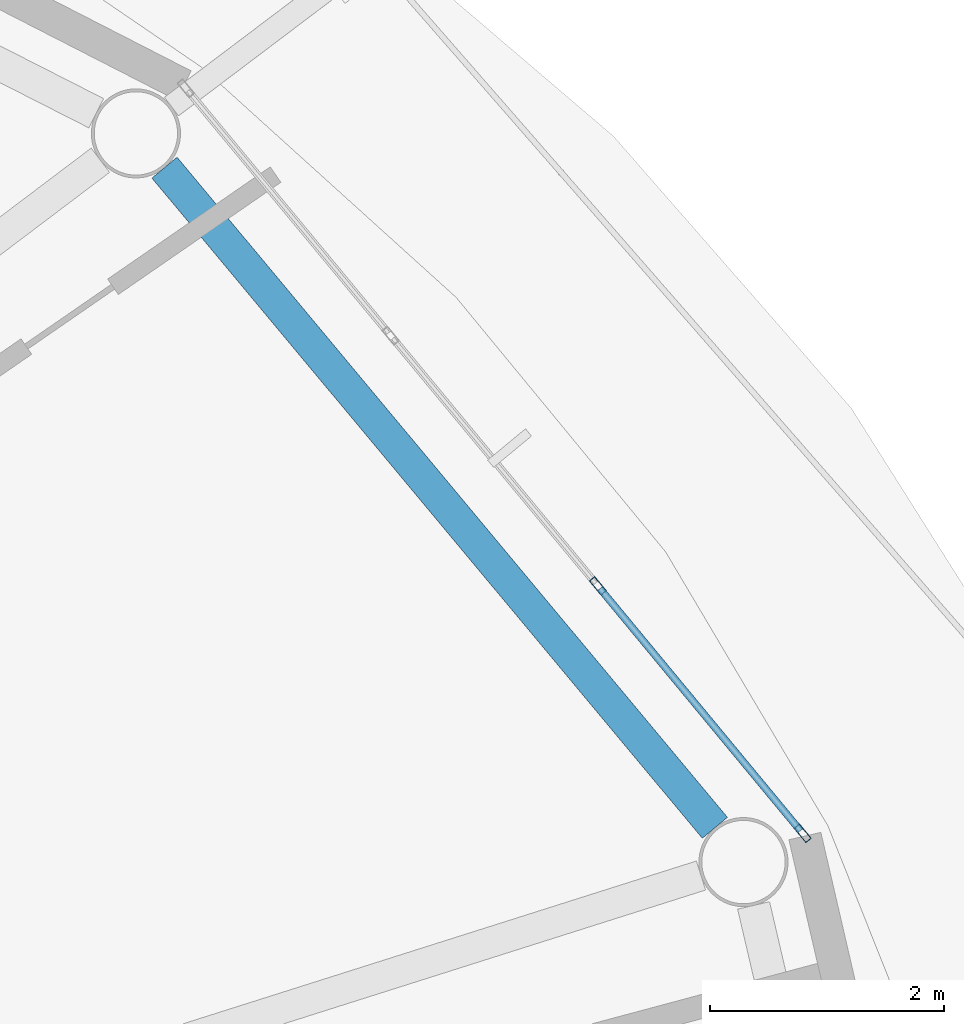
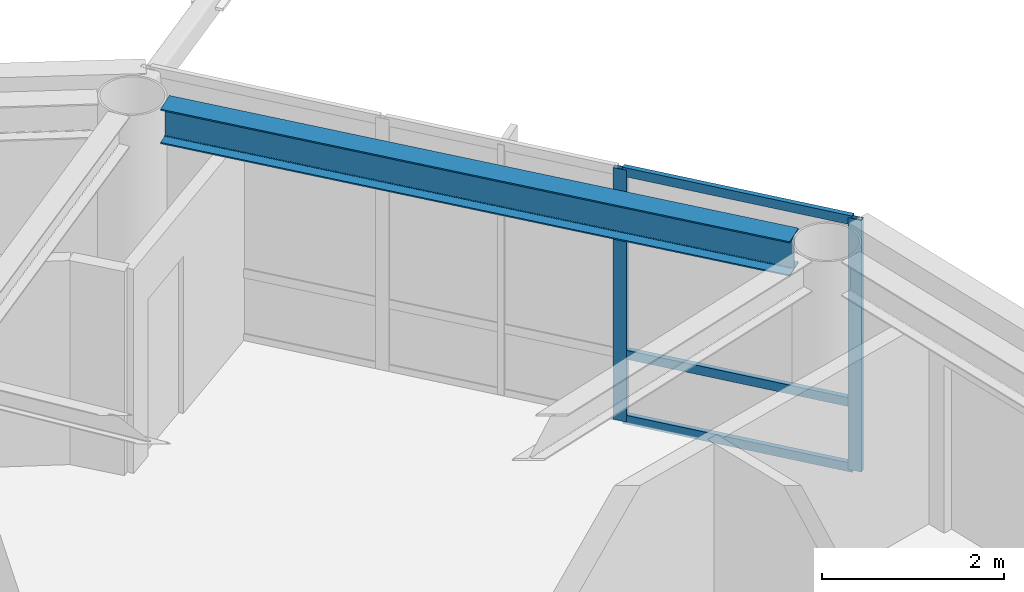
# One storey, part 7 of 23: 5 members, 1 beam, 1 element without a shape of its own.
"""IFC4 building model written with IfcOpenShell, lengths in metres."""

from ifc_helpers import new_model, si_unit, direction, frame, origin, origin_2d, place, context, subcontext, project, spatial, hollow_rectangle, i_section, extrude, material, layer, layer_set, material_profile, profile_set, type_object, element, aggregate, save


model = new_model("IFC4")

# Units and contexts
model_context = context("Model", 3, precision=1e-05, world=origin(), true_north=direction((0.0, 1.0)))
body_context = subcontext(model_context, "Body", "Model", "MODEL_VIEW")
ifc_project = project(units=[si_unit("LENGTHUNIT", "METRE"), si_unit("AREAUNIT", "SQUARE_METRE"), si_unit("VOLUMEUNIT", "CUBIC_METRE"), si_unit("PLANEANGLEUNIT", "RADIAN"), si_unit("MASSUNIT", "GRAM", prefix="KILO")], contexts=[model_context])

# Site, building, storey
site_placement = place(None, origin())
site = spatial("IfcSite", under=ifc_project, at=site_placement, CompositionType="ELEMENT")
building_placement = place(site_placement, origin())
building = spatial("IfcBuilding", under=site, at=building_placement, Name="Sarneth Arch Tower", CompositionType="ELEMENT")
storey_placement = place(building_placement, frame((0.0, 0.0, 265.800048828125)))
storey = spatial("IfcBuildingStorey", under=building, at=storey_placement, Name="L68", CompositionType="ELEMENT", Elevation=265.800048828125)

# Beam
ifc_material_1 = material(Name="Steel S355", Category="steel")
ifc_material_profile_1 = material_profile(ifc_material_1, i_section(OverallWidth=0.280029296875, OverallDepth=0.462890625, WebThickness=0.0107421875, FlangeThickness=0.017333984375, FilletRadius=0.01806640625, at=origin_2d()), Name="W460x113")
ifc_profile_set_1 = profile_set([ifc_material_profile_1], Name="Steel S355")
beam_type = type_object("IfcBeamType", Name="BM-RAD-460A", PredefinedType="BEAM", material=ifc_profile_set_1)
beam_placement = place(storey_placement, frame((70.9248046875, 49.64013671875, 3.138427734375), z_axis=(-0.640377192996, 0.768060577487, 0.0), x_axis=(-0.768060577487, -0.640377192996, 0.0)))
element("IfcBeam", 1, at=beam_placement, inside=storey, type_object=beam_type, Name="L68 Perimeter spandrel beam 02", PredefinedType="BEAM", context=body_context, shape_type="SweptSolid", body=[
    extrude(i_section(OverallWidth=0.280029296875, OverallDepth=0.462890625, WebThickness=0.0107421875, FlangeThickness=0.017333984375, FilletRadius=0.01806640625, at=origin_2d()), origin(), (0.0, 0.0, 1.0), 7.34814453125),
])

# Curtain wall, members
ifc_material_2 = material(Name="Anodised aluminium Type AA25 and solar-control low-e laminated IGU", Category="aluminium")
ifc_layer = layer(ifc_material_2, 0.179931640625)
ifc_layer_set = layer_set([ifc_layer], Name="Anodised aluminium Type AA25 and solar-control low-e laminated IGU")
curtain_wall_type = type_object("IfcCurtainWallType", Name="CW-RES-HIGH", PredefinedType="NOTDEFINED", material=ifc_layer_set)
curtain_wall_placement = place(storey_placement, origin())
curtain_wall = element("IfcCurtainWall", 2, at=curtain_wall_placement, inside=storey, type_object=curtain_wall_type, Name="L68 Unitised curtain wall facet 02", PredefinedType="NOTDEFINED")
ifc_material_3 = material(Name="Anodised Aluminium 6063-T6", Category="aluminium")
ifc_material_profile_2 = material_profile(ifc_material_3, hollow_rectangle(XDim=0.06005859375, YDim=0.159912109375, WallThickness=0.00390625, at=origin_2d()), Name="AL-MULL-160x60x4")
ifc_profile_set_2 = profile_set([ifc_material_profile_2], Name="Anodised Aluminium 6063-T6")
member_type_1 = type_object("IfcMemberType", Name="CW-MULLION", PredefinedType="MULLION", material=ifc_profile_set_2)
member_1_placement = place(storey_placement, frame((71.674560546875, 49.592529296875, 0.0), z_axis=(0.0, 0.0, 1.0), x_axis=(-0.770359245933, -0.637610094184, 0.0)))
member_1 = element("IfcMember", 3, at=member_1_placement, type_object=member_type_1, Name="CW-SYS-6 mullion 1", PredefinedType="MULLION", context=body_context, shape_type="SweptSolid", body=[
    extrude(hollow_rectangle(XDim=0.06005859375, YDim=0.159912109375, WallThickness=0.00390625, at=origin_2d()), origin(), (0.0, 0.0, 1.0), 3.369873046875),
])
member_2_placement = place(storey_placement, frame((69.92333984375, 51.70849609375, 0.0), z_axis=(0.0, 0.0, 1.0), x_axis=(-0.770359245933, -0.637610094184, 0.0)))
member_2 = element("IfcMember", 4, at=member_2_placement, type_object=member_type_1, Name="CW-SYS-6 mullion 2", PredefinedType="MULLION", context=body_context, shape_type="SweptSolid", body=[
    extrude(hollow_rectangle(XDim=0.06005859375, YDim=0.159912109375, WallThickness=0.00390625, at=origin_2d()), origin(), (0.0, 0.0, 1.0), 3.369873046875),
])
ifc_material_4 = material(Name="Anodised Aluminium 6063-T6", Category="aluminium")
ifc_material_profile_3 = material_profile(ifc_material_4, hollow_rectangle(XDim=0.06005859375, YDim=0.1201171875, WallThickness=0.00390625, at=origin_2d()), Name="AL-TRAN-120x60x4")
ifc_profile_set_3 = profile_set([ifc_material_profile_3], Name="Anodised Aluminium 6063-T6")
member_type_2 = type_object("IfcMemberType", Name="CW-TRANSOM", PredefinedType="USERDEFINED", material=ifc_profile_set_3)
member_3_placement = place(storey_placement, frame((71.655517578125, 49.61572265625, 0.030029296875), z_axis=(-0.637651400067, 0.770325056059, 0.0), x_axis=(-0.770325056059, -0.637651400067, 0.0)))
member_3 = element("IfcMember", 5, at=member_3_placement, type_object=member_type_2, Name="CW-SYS-6 transom 1.1", ObjectType="TRANSOM", PredefinedType="USERDEFINED", context=body_context, shape_type="SweptSolid", body=[
    extrude(hollow_rectangle(XDim=0.06005859375, YDim=0.1201171875, WallThickness=0.00390625, at=origin_2d()), origin(), (0.0, 0.0, 1.0), 2.6865234375),
])
member_4_placement = place(storey_placement, frame((71.655517578125, 49.61572265625, 0.89990234375), z_axis=(-0.637651400067, 0.770325056059, 0.0), x_axis=(-0.770325056059, -0.637651400067, 0.0)))
member_4 = element("IfcMember", 6, at=member_4_placement, type_object=member_type_2, Name="CW-SYS-6 transom 1.2", ObjectType="TRANSOM", PredefinedType="USERDEFINED", context=body_context, shape_type="SweptSolid", body=[
    extrude(hollow_rectangle(XDim=0.06005859375, YDim=0.1201171875, WallThickness=0.00390625, at=origin_2d()), origin(), (0.0, 0.0, 1.0), 2.6865234375),
])
member_5_placement = place(storey_placement, frame((71.655517578125, 49.61572265625, 3.33984375), z_axis=(-0.637651400067, 0.770325056059, 0.0), x_axis=(-0.770325056059, -0.637651400067, 0.0)))
member_5 = element("IfcMember", 7, at=member_5_placement, type_object=member_type_2, Name="CW-SYS-6 transom 1.3", ObjectType="TRANSOM", PredefinedType="USERDEFINED", context=body_context, shape_type="SweptSolid", body=[
    extrude(hollow_rectangle(XDim=0.06005859375, YDim=0.1201171875, WallThickness=0.00390625, at=origin_2d()), origin(), (0.0, 0.0, 1.0), 2.6865234375),
])
aggregate(curtain_wall, [member_1, member_2, member_3, member_4, member_5])

save(model, "model.ifc")
